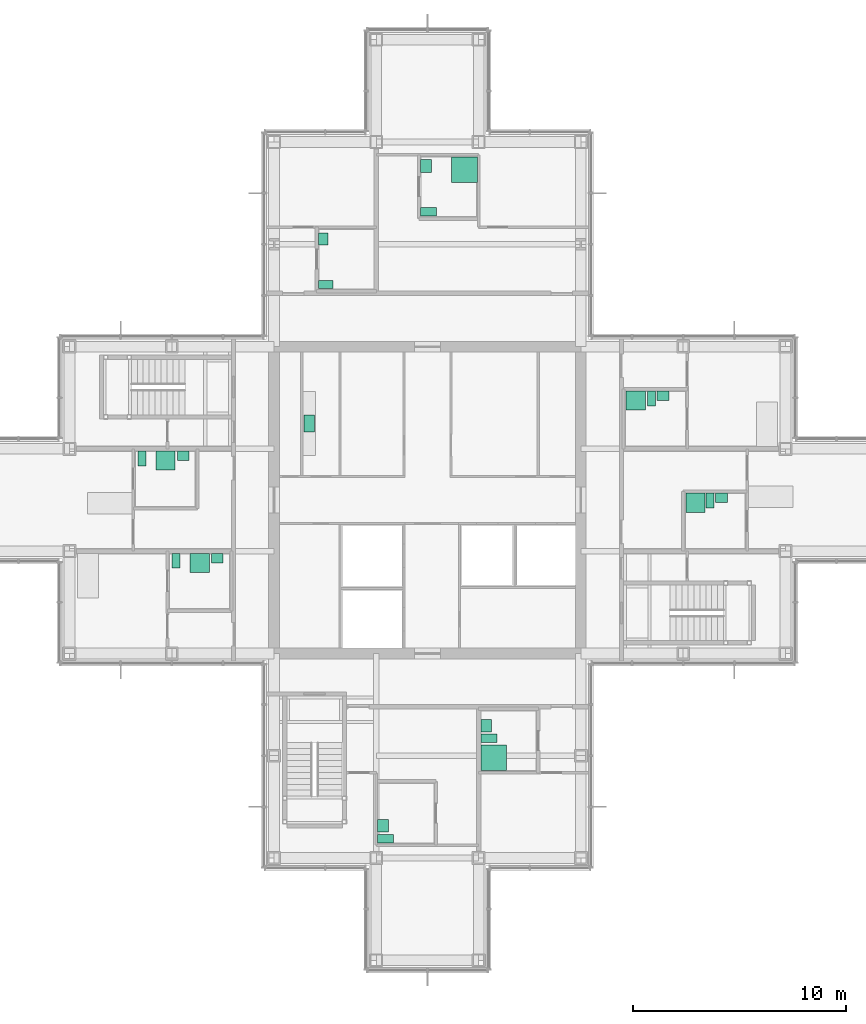
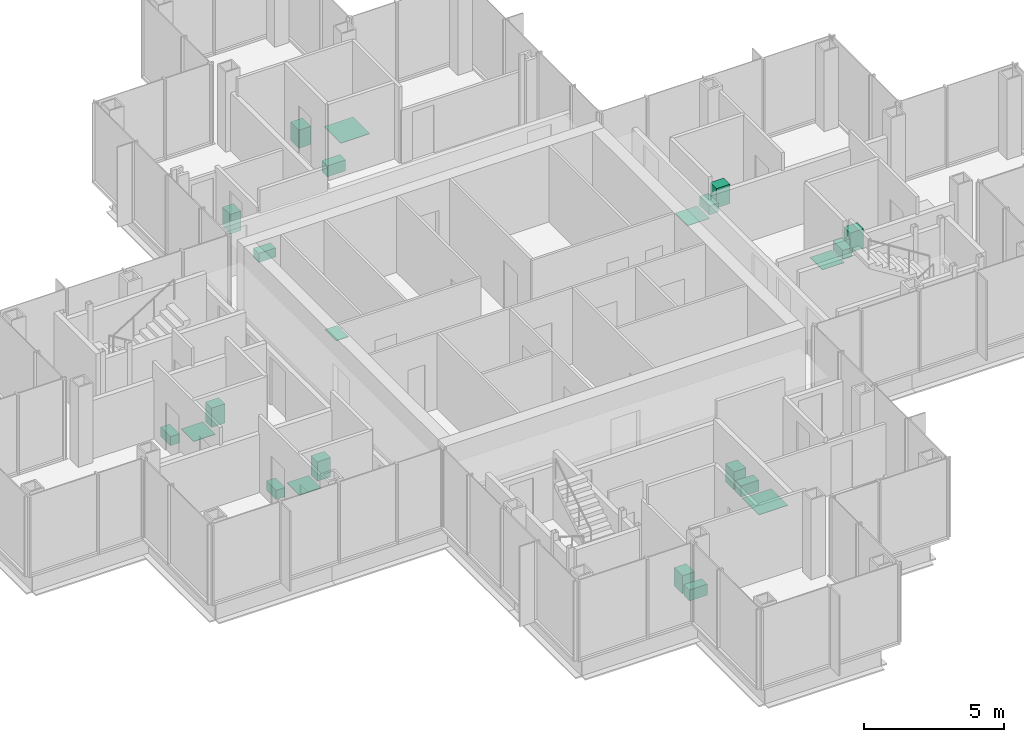
# One storey, part 16 of 17: 23 sanitary terminals.
"""IFC4 building model written with IfcOpenShell, lengths in metres."""

from ifc_helpers import new_model, si_unit, direction, frame, origin, origin_2d, place, context, subcontext, project, spatial, rectangle, extrude, material, type_object, element, save


model = new_model("IFC4")

# Units and contexts
model_context = context("Model", 3, precision=1e-05, world=origin(), true_north=direction((0.0, 1.0)))
body_context = subcontext(model_context, "Body", "Model", "MODEL_VIEW")
ifc_project = project(units=[si_unit("LENGTHUNIT", "METRE"), si_unit("AREAUNIT", "SQUARE_METRE"), si_unit("VOLUMEUNIT", "CUBIC_METRE"), si_unit("PLANEANGLEUNIT", "RADIAN"), si_unit("MASSUNIT", "GRAM", prefix="KILO")], contexts=[model_context])

# Site, building, storey
site_placement = place(None, origin())
site = spatial("IfcSite", under=ifc_project, at=site_placement, CompositionType="ELEMENT")
building_placement = place(site_placement, origin())
building = spatial("IfcBuilding", under=site, at=building_placement, Name="Kvirike Care Tower", CompositionType="ELEMENT")
storey_placement = place(building_placement, frame((0.0, 0.0, 165.5)))
storey = spatial("IfcBuildingStorey", under=building, at=storey_placement, Name="L45", CompositionType="ELEMENT", Elevation=165.5)

# Sanitary terminals
ifc_material_1 = material(Name="Vitreous china", Category="ceramic")
sanitary_terminal_type_1 = type_object("IfcSanitaryTerminalType", Name="ACCESSIBLE WASH BASIN 600 x 500", PredefinedType="WASHHANDBASIN", material=ifc_material_1)
for number, where, z_axis, x_axis, name in (
    (1, (19.511962890625, 20.7099609375, 0.02001953125), (0.0, 0.0, 1.0), (0.0, 1.0, 0.0), "Accessible wash basin L45-014"),
    (2, (24.35205078125, 25.409912109375, 0.02001953125), (0.0, 0.0, 1.0), (0.0, 1.0, 0.0), "Accessible wash basin L45-017"),
    (3, (21.527099609375, 51.675048828125, 0.02001953125), (0.0, 0.0, 1.0), (0.0, 1.0, 0.0), "Accessible wash basin L45-021"),
):
    element("IfcSanitaryTerminal", number, at=place(storey_placement, frame(where, z_axis=z_axis, x_axis=x_axis)), inside=storey, type_object=sanitary_terminal_type_1, Name=name, PredefinedType="WASHHANDBASIN", context=body_context, shape_type="SweptSolid", body=[
        extrude(rectangle(XDim=0.60009765625, YDim=0.5, at=origin_2d()), origin(), (0.0, 0.0, 1.0), 0.800048828125),
    ])
ifc_material_2 = material(Name="Vitreous china", Category="ceramic")
sanitary_terminal_type_2 = type_object("IfcSanitaryTerminalType", Name="ACCESSIBLE WC PAN 400 x 750", PredefinedType="TOILETPAN", material=ifc_material_2)
for number, where, z_axis, x_axis, name in (
    (4, (19.636962890625, 20.110107421875, 0.02001953125), (0.0, 0.0, 1.0), (0.0, 1.0, 0.0), "Accessible WC pan L45-014"),
    (5, (24.47705078125, 24.81005859375, 0.02001953125), (0.0, 0.0, 1.0), (0.0, 1.0, 0.0), "Accessible WC pan L45-017"),
    (6, (21.652099609375, 49.52490234375, 0.02001953125), (0.0, 0.0, 1.0), (0.0, 1.0, 0.0), "Accessible WC pan L45-021"),
):
    element("IfcSanitaryTerminal", number, at=place(storey_placement, frame(where, z_axis=z_axis, x_axis=x_axis)), inside=storey, type_object=sanitary_terminal_type_2, Name=name, PredefinedType="TOILETPAN", context=body_context, shape_type="SweptSolid", body=[
        extrude(rectangle(XDim=0.39990234375, YDim=0.75, at=origin_2d()), origin(), (0.0, 0.0, 1.0), 0.47998046875),
    ])
ifc_material_3 = material(Name="Stainless steel", Category="steel")
sanitary_terminal_type_3 = type_object("IfcSanitaryTerminalType", Name="KITCHEN SINK 800 x 500", PredefinedType="SINK", material=ifc_material_3)
sanitary_terminal_placement = place(storey_placement, frame((16.052001953125, 39.60009765625, 0.89990234375), z_axis=(0.0, 0.0, 1.0), x_axis=(0.0, 1.0, 0.0)))
element("IfcSanitaryTerminal", 7, at=sanitary_terminal_placement, inside=storey, type_object=sanitary_terminal_type_3, Name="Kitchen sink L45-042", PredefinedType="SINK", context=body_context, shape_type="SweptSolid", body=[
    extrude(rectangle(XDim=0.800048828125, YDim=0.5, at=origin_2d()), origin(), (0.0, 0.0, 1.0), 0.030029296875),
])
ifc_material_4 = material(Name="Stainless steel", Category="steel")
sanitary_terminal_type_4 = type_object("IfcSanitaryTerminalType", Name="LEVEL-ACCESS SHOWER 1200 x 1200", PredefinedType="SHOWER", material=ifc_material_4)
for number, where, z_axis, x_axis, name in (
    (8, (24.701904296875, 23.909912109375, 0.02001953125), (0.0, 0.0, 1.0), (0.0, 1.0, 0.0), "Level-access shower L45-017"),
    (9, (23.337890625, 51.489990234375, 0.02001953125), (0.0, 0.0, 1.0), (0.0, -1.0, 0.0), "Level-access shower L45-021"),
):
    element("IfcSanitaryTerminal", number, at=place(storey_placement, frame(where, z_axis=z_axis, x_axis=x_axis)), inside=storey, type_object=sanitary_terminal_type_4, Name=name, PredefinedType="SHOWER", context=body_context, shape_type="SweptSolid", body=[
        extrude(rectangle(XDim=1.199951171875, YDim=1.199951171875, at=origin_2d()), origin(), (0.0, 0.0, 1.0), 0.02001953125),
    ])
ifc_material_5 = material(Name="Stainless steel", Category="steel")
sanitary_terminal_type_5 = type_object("IfcSanitaryTerminalType", Name="LEVEL-ACCESS SHOWER 900 x 900", PredefinedType="SHOWER", material=ifc_material_5)
for number, where, z_axis, x_axis, name in (
    (10, (9.31005859375, 37.847900390625, 0.02001953125), (0.0, 0.0, 1.0), (1.0, 0.0, 0.0), "Level-access shower L45-006"),
    (11, (10.909912109375, 33.048095703125, 0.02001953125), (0.0, 0.0, 1.0), (1.0, 0.0, 0.0), "Level-access shower L45-009"),
    (12, (34.175048828125, 35.873046875, 0.02001953125), (0.0, 0.0, 1.0), (1.0, 0.0, 0.0), "Level-access shower L45-031"),
    (13, (31.375, 40.673095703125, 0.02001953125), (0.0, 0.0, 1.0), (1.0, 0.0, 0.0), "Level-access shower L45-034"),
):
    element("IfcSanitaryTerminal", number, at=place(storey_placement, frame(where, z_axis=z_axis, x_axis=x_axis)), inside=storey, type_object=sanitary_terminal_type_5, Name=name, PredefinedType="SHOWER", context=body_context, shape_type="SweptSolid", body=[
        extrude(rectangle(XDim=0.89990234375, YDim=0.89990234375, at=origin_2d()), origin(), (0.0, 0.0, 1.0), 0.02001953125),
    ])
ifc_material_6 = material(Name="Vitreous china", Category="ceramic")
sanitary_terminal_type_6 = type_object("IfcSanitaryTerminalType", Name="WASH BASIN 550 x 450", PredefinedType="WASHHANDBASIN", material=ifc_material_6)
for number, where, z_axis, x_axis, name in (
    (14, (10.135009765625, 38.072998046875, 0.02001953125), (0.0, 0.0, 1.0), (1.0, 0.0, 0.0), "Wash basin L45-006"),
    (15, (11.735107421875, 33.27294921875, 0.02001953125), (0.0, 0.0, 1.0), (1.0, 0.0, 0.0), "Wash basin L45-009"),
    (16, (16.701904296875, 48.25, 0.02001953125), (0.0, 0.0, 1.0), (0.0, 1.0, 0.0), "Wash basin L45-024"),
    (17, (35.39990234375, 36.097900390625, 0.02001953125), (0.0, 0.0, 1.0), (1.0, 0.0, 0.0), "Wash basin L45-031"),
    (18, (32.64990234375, 40.89794921875, 0.02001953125), (0.0, 0.0, 1.0), (1.0, 0.0, 0.0), "Wash basin L45-034"),
):
    element("IfcSanitaryTerminal", number, at=place(storey_placement, frame(where, z_axis=z_axis, x_axis=x_axis)), inside=storey, type_object=sanitary_terminal_type_6, Name=name, PredefinedType="WASHHANDBASIN", context=body_context, shape_type="SweptSolid", body=[
        extrude(rectangle(XDim=0.550048828125, YDim=0.449951171875, at=origin_2d()), origin(), (0.0, 0.0, 1.0), 0.85009765625),
    ])
ifc_material_7 = material(Name="Vitreous china", Category="ceramic")
sanitary_terminal_type_7 = type_object("IfcSanitaryTerminalType", Name="WC PAN 380 x 700", PredefinedType="TOILETPAN", material=ifc_material_7)
for number, where, z_axis, x_axis, name in (
    (19, (8.199951171875, 37.947998046875, 0.02001953125), (0.0, 0.0, 1.0), (1.0, 0.0, 0.0), "WC pan L45-006"),
    (20, (9.800048828125, 33.14794921875, 0.02001953125), (0.0, 0.0, 1.0), (1.0, 0.0, 0.0), "WC pan L45-009"),
    (21, (16.826904296875, 46.114990234375, 0.02001953125), (0.0, 0.0, 1.0), (0.0, 1.0, 0.0), "WC pan L45-024"),
    (22, (34.864990234375, 35.972900390625, 0.02001953125), (0.0, 0.0, 1.0), (1.0, 0.0, 0.0), "WC pan L45-031"),
    (23, (32.114990234375, 40.77294921875, 0.02001953125), (0.0, 0.0, 1.0), (1.0, 0.0, 0.0), "WC pan L45-034"),
):
    element("IfcSanitaryTerminal", number, at=place(storey_placement, frame(where, z_axis=z_axis, x_axis=x_axis)), inside=storey, type_object=sanitary_terminal_type_7, Name=name, PredefinedType="TOILETPAN", context=body_context, shape_type="SweptSolid", body=[
        extrude(rectangle(XDim=0.3798828125, YDim=0.699951171875, at=origin_2d()), origin(), (0.0, 0.0, 1.0), 0.39990234375),
    ])

save(model, "model.ifc")
